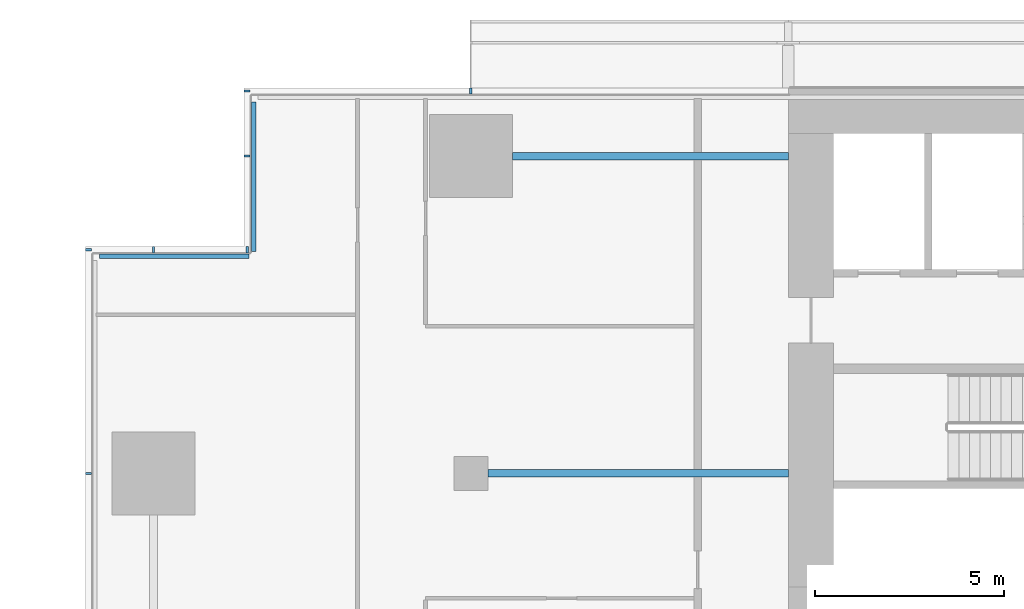
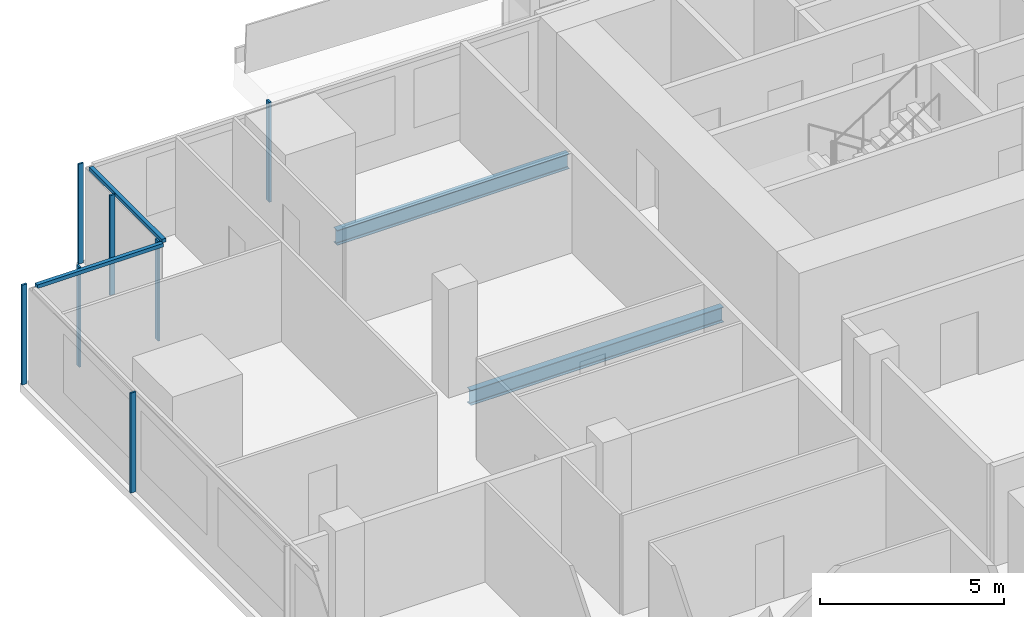
# One storey, part 8 of 27: 9 members, 2 beams, 4 elements without a shape of their own.
"""IFC4 building model written with IfcOpenShell, lengths in metres."""

from ifc_helpers import new_model, si_unit, direction, frame, origin, origin_2d, place, context, subcontext, project, spatial, rectangle, i_section, extrude, material, material_profile, profile_set, type_object, element, aggregate, save


model = new_model("IFC4")

# Units and contexts
model_context = context("Model", 3, precision=1e-05, world=origin(), true_north=direction((0.0, 1.0)))
body_context = subcontext(model_context, "Body", "Model", "MODEL_VIEW")
ifc_project = project(units=[si_unit("LENGTHUNIT", "METRE"), si_unit("AREAUNIT", "SQUARE_METRE"), si_unit("VOLUMEUNIT", "CUBIC_METRE"), si_unit("PLANEANGLEUNIT", "RADIAN"), si_unit("MASSUNIT", "GRAM", prefix="KILO")], contexts=[model_context])

# Site, building, storey
site_placement = place(None, origin())
site = spatial("IfcSite", under=ifc_project, at=site_placement, CompositionType="ELEMENT")
building_placement = place(site_placement, origin())
building = spatial("IfcBuilding", under=site, at=building_placement, Name="Saffron Gate Tower", CompositionType="ELEMENT")
storey_placement = place(building_placement, frame((0.0, 0.0, 66.0)))
storey = spatial("IfcBuildingStorey", under=building, at=storey_placement, Name="L15", CompositionType="ELEMENT", Elevation=66.0)

# Beams
ifc_material_1 = material(Name="Structural steel S355", Category="steel")
ifc_material_profile_1 = material_profile(ifc_material_1, i_section(OverallWidth=0.199951171875, OverallDepth=0.5, WebThickness=0.01025390625, FlangeThickness=0.01611328125, FilletRadius=0.02099609375, at=origin_2d()))
ifc_profile_set_1 = profile_set([ifc_material_profile_1], Name="Structural steel S355")
beam_type = type_object("IfcBeamType", Name="B10 IPE 500", PredefinedType="BEAM", material=ifc_profile_set_1)
beam_1_placement = place(storey_placement, frame((58.64990234375, 65.39990234375, -0.530029296875), z_axis=(1.0, 0.0, 0.0), x_axis=(0.0, 1.0, 0.0)))
element("IfcBeam", 1, at=beam_1_placement, inside=storey, type_object=beam_type, Name="B10 CORE TIE BEAM", PredefinedType="BEAM", context=body_context, shape_type="SweptSolid", body=[
    extrude(i_section(OverallWidth=0.199951171875, OverallDepth=0.5, WebThickness=0.01025390625, FlangeThickness=0.01611328125, FilletRadius=0.02099609375, at=origin_2d()), origin(), (0.0, 0.0, 1.0), 7.9501953125),
])
beam_2_placement = place(storey_placement, frame((59.300048828125, 73.800048828125, -0.530029296875), z_axis=(1.0, 0.0, 0.0), x_axis=(0.0, 1.0, 0.0)))
element("IfcBeam", 2, at=beam_2_placement, inside=storey, type_object=beam_type, Name="B10 CORE TIE BEAM", PredefinedType="BEAM", context=body_context, shape_type="SweptSolid", body=[
    extrude(i_section(OverallWidth=0.199951171875, OverallDepth=0.5, WebThickness=0.01025390625, FlangeThickness=0.01611328125, FilletRadius=0.02099609375, at=origin_2d()), origin(), (0.0, 0.0, 1.0), 7.300048828125),
])

# Curtain wall, members
ifc_material_2 = material(Name="Aluminium, bronze anodised", Category="aluminium")
curtain_wall_type_1 = type_object("IfcCurtainWallType", Name="CWS2 curtain wall side facades", PredefinedType="NOTDEFINED", material=ifc_material_2)
curtain_wall_1_placement = place(storey_placement, origin())
curtain_wall_1 = element("IfcCurtainWall", 3, at=curtain_wall_1_placement, inside=storey, type_object=curtain_wall_type_1, Name="CWS2 run 10", PredefinedType="NOTDEFINED")
ifc_material_profile_2 = material_profile(ifc_material_2, rectangle(XDim=0.159912109375, YDim=0.06005859375, at=origin_2d()))
ifc_profile_set_2 = profile_set([ifc_material_profile_2], Name="Aluminium, bronze anodised")
member_type_1 = type_object("IfcMemberType", Name="CWS2 mullion 60x160", PredefinedType="MULLION", material=ifc_profile_set_2)
member_1_placement = place(storey_placement, frame((48.080078125, 71.320068359375, 0.0), z_axis=(0.0, 0.0, 1.0), x_axis=(1.0, 0.0, 0.0)))
member_1 = element("IfcMember", 4, at=member_1_placement, type_object=member_type_1, Name="CWS2 mullion 1", PredefinedType="MULLION", context=body_context, shape_type="SweptSolid", body=[
    extrude(rectangle(XDim=0.159912109375, YDim=0.06005859375, at=origin_2d()), origin(), (0.0, 0.0, 1.0), 3.320068359375),
])
member_2_placement = place(storey_placement, frame((48.080078125, 65.39990234375, 0.0), z_axis=(0.0, 0.0, 1.0), x_axis=(1.0, 0.0, 0.0)))
member_2 = element("IfcMember", 5, at=member_2_placement, type_object=member_type_1, Name="CWS2 mullion 2", PredefinedType="MULLION", context=body_context, shape_type="SweptSolid", body=[
    extrude(rectangle(XDim=0.159912109375, YDim=0.06005859375, at=origin_2d()), origin(), (0.0, 0.0, 1.0), 3.320068359375),
])
aggregate(curtain_wall_1, [member_1, member_2])

# Curtain wall, member
curtain_wall_type_2 = type_object("IfcCurtainWallType", Name="CWS3 curtain wall rear facade", PredefinedType="NOTDEFINED", material=ifc_material_2)
curtain_wall_2_placement = place(storey_placement, origin())
curtain_wall_2 = element("IfcCurtainWall", 6, at=curtain_wall_2_placement, inside=storey, type_object=curtain_wall_type_2, Name="CWS3 run 7", PredefinedType="NOTDEFINED")
ifc_material_profile_3 = material_profile(ifc_material_2, rectangle(XDim=0.159912109375, YDim=0.070068359375, at=origin_2d()))
ifc_profile_set_3 = profile_set([ifc_material_profile_3], Name="Aluminium, bronze anodised")
member_type_2 = type_object("IfcMemberType", Name="CWS3 mullion 70x160", PredefinedType="MULLION", material=ifc_profile_set_3)
member_3_placement = place(storey_placement, frame((58.199951171875, 75.52001953125, 0.0), z_axis=(0.0, 0.0, 1.0), x_axis=(0.0, -1.0, 0.0)))
member_3 = element("IfcMember", 7, at=member_3_placement, type_object=member_type_2, Name="CWS3 mullion 9", PredefinedType="MULLION", context=body_context, shape_type="SweptSolid", body=[
    extrude(rectangle(XDim=0.159912109375, YDim=0.070068359375, at=origin_2d()), origin(), (0.0, 0.0, 1.0), 3.320068359375),
])
aggregate(curtain_wall_2, [member_3])

curtain_wall_type_3 = type_object("IfcCurtainWallType", Name="CWS4 curtain wall corner returns", PredefinedType="NOTDEFINED", material=ifc_material_2)
curtain_wall_3_placement = place(storey_placement, origin())
curtain_wall_3 = element("IfcCurtainWall", 8, at=curtain_wall_3_placement, inside=storey, type_object=curtain_wall_type_3, Name="CWS4 run 8", PredefinedType="NOTDEFINED")
ifc_material_profile_4 = material_profile(ifc_material_2, rectangle(XDim=0.1201171875, YDim=0.1201171875, at=origin_2d()))
ifc_profile_set_4 = profile_set([ifc_material_profile_4], Name="Aluminium, bronze anodised")
member_type_3 = type_object("IfcMemberType", Name="CWS4 head transom", PredefinedType="USERDEFINED", material=ifc_profile_set_4)
member_4_placement = place(storey_placement, frame((52.447998046875, 75.23193359375, 3.260009765625), z_axis=(0.0, -1.0, 0.0), x_axis=(1.0, 0.0, 0.0)))
member_4 = element("IfcMember", 9, at=member_4_placement, type_object=member_type_3, Name="CWS4 head transom", ObjectType="TRANSOM", PredefinedType="USERDEFINED", context=body_context, shape_type="SweptSolid", body=[
    extrude(rectangle(XDim=0.1201171875, YDim=0.1201171875, at=origin_2d()), origin(), (0.0, 0.0, 1.0), 3.9599609375),
])

curtain_wall_4_placement = place(storey_placement, origin())
curtain_wall_4 = element("IfcCurtainWall", 10, at=curtain_wall_4_placement, inside=storey, type_object=curtain_wall_type_3, Name="CWS4 run 9", PredefinedType="NOTDEFINED")
member_5_placement = place(storey_placement, frame((52.327880859375, 71.152099609375, 3.260009765625), z_axis=(-1.0, 0.0, 0.0), x_axis=(0.0, -1.0, 0.0)))
member_5 = element("IfcMember", 11, at=member_5_placement, type_object=member_type_3, Name="CWS4 head transom", ObjectType="TRANSOM", PredefinedType="USERDEFINED", context=body_context, shape_type="SweptSolid", body=[
    extrude(rectangle(XDim=0.1201171875, YDim=0.1201171875, at=origin_2d()), origin(), (0.0, 0.0, 1.0), 3.9599609375),
])

# Member
ifc_material_profile_5 = material_profile(ifc_material_2, rectangle(XDim=0.159912109375, YDim=0.06005859375, at=origin_2d()))
ifc_profile_set_5 = profile_set([ifc_material_profile_5], Name="Aluminium, bronze anodised")
member_type_4 = type_object("IfcMemberType", Name="CWS4 mullion 60x160", PredefinedType="MULLION", material=ifc_profile_set_5)
member_6_placement = place(storey_placement, frame((52.280029296875, 75.52001953125, 0.0), z_axis=(0.0, 0.0, 1.0), x_axis=(1.0, 0.0, 0.0)))
member_6 = element("IfcMember", 12, at=member_6_placement, type_object=member_type_4, Name="CWS4 mullion 1", PredefinedType="MULLION", context=body_context, shape_type="SweptSolid", body=[
    extrude(rectangle(XDim=0.159912109375, YDim=0.06005859375, at=origin_2d()), origin(), (0.0, 0.0, 1.0), 3.320068359375),
])

member_7_placement = place(storey_placement, frame((52.280029296875, 73.800048828125, 0.0), z_axis=(0.0, 0.0, 1.0), x_axis=(1.0, 0.0, 0.0)))
member_7 = element("IfcMember", 13, at=member_7_placement, type_object=member_type_4, Name="CWS4 mullion 2", PredefinedType="MULLION", context=body_context, shape_type="SweptSolid", body=[
    extrude(rectangle(XDim=0.159912109375, YDim=0.06005859375, at=origin_2d()), origin(), (0.0, 0.0, 1.0), 3.320068359375),
])

aggregate(curtain_wall_3, [member_6, member_7, member_4])

member_8_placement = place(storey_placement, frame((52.280029296875, 71.320068359375, 0.0), z_axis=(0.0, 0.0, 1.0), x_axis=(0.0, -1.0, 0.0)))
member_8 = element("IfcMember", 14, at=member_8_placement, type_object=member_type_4, Name="CWS4 mullion 1", PredefinedType="MULLION", context=body_context, shape_type="SweptSolid", body=[
    extrude(rectangle(XDim=0.159912109375, YDim=0.06005859375, at=origin_2d()), origin(), (0.0, 0.0, 1.0), 3.320068359375),
])

member_9_placement = place(storey_placement, frame((49.800048828125, 71.320068359375, 0.0), z_axis=(0.0, 0.0, 1.0), x_axis=(0.0, -1.0, 0.0)))
member_9 = element("IfcMember", 15, at=member_9_placement, type_object=member_type_4, Name="CWS4 mullion 2", PredefinedType="MULLION", context=body_context, shape_type="SweptSolid", body=[
    extrude(rectangle(XDim=0.159912109375, YDim=0.06005859375, at=origin_2d()), origin(), (0.0, 0.0, 1.0), 3.320068359375),
])

aggregate(curtain_wall_4, [member_8, member_9, member_5])

save(model, "model.ifc")
